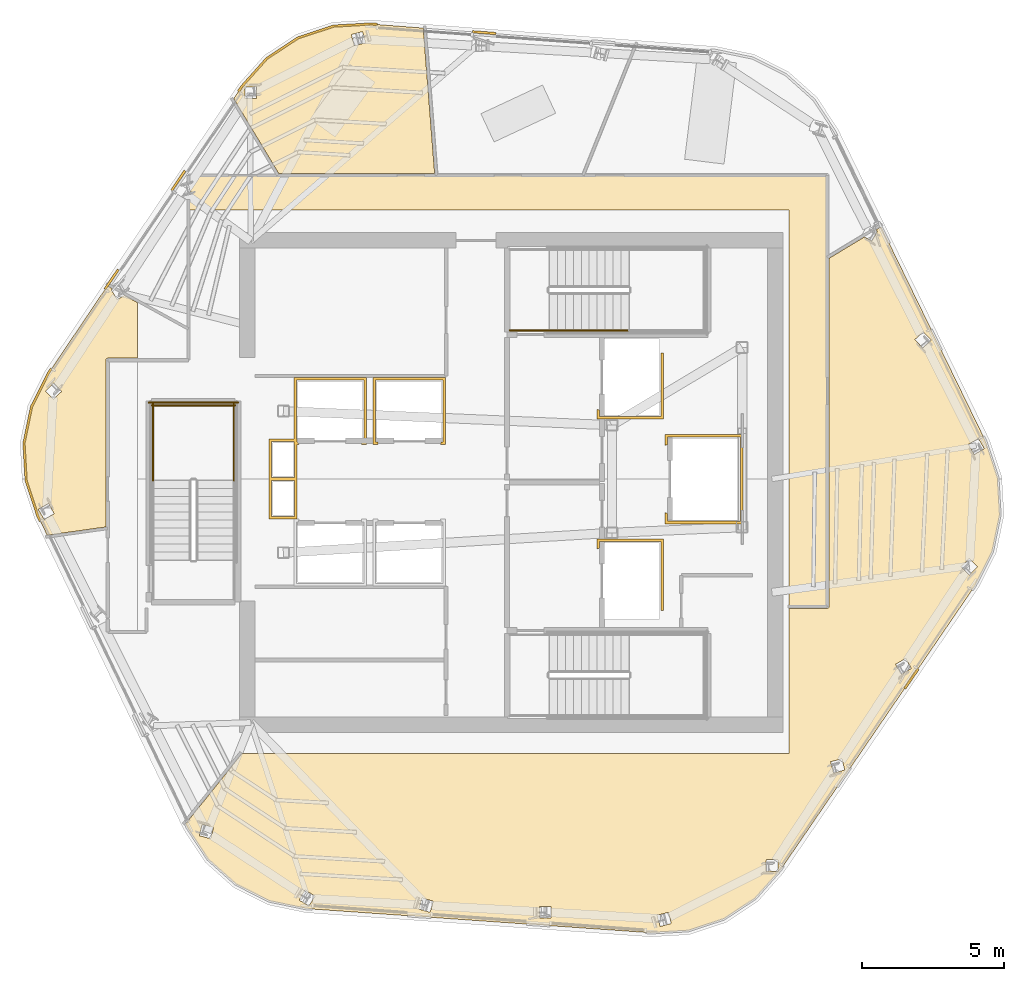
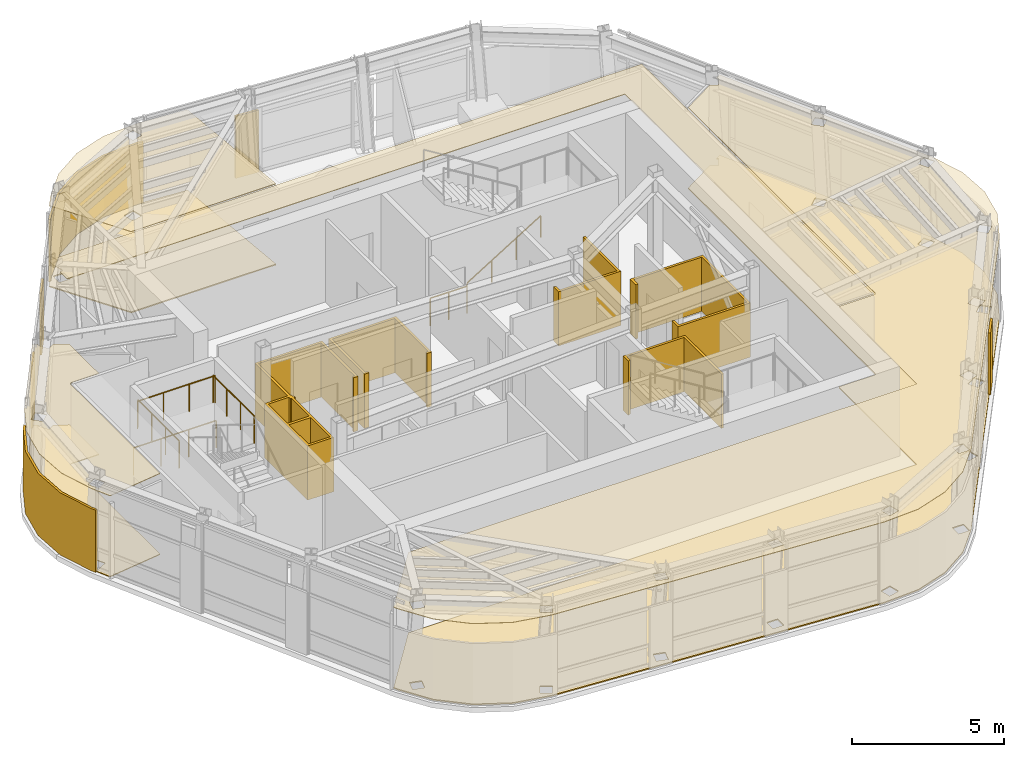
# One storey, part 9 of 11: 18 coverings, 6 railings.
"""IFC4 building model written with IfcOpenShell, lengths in metres."""

from ifc_helpers import new_model, si_unit, direction, frame, origin, origin_2d, place, context, subcontext, project, spatial, polyline, circle, outline, extrude, material, layer, layer_set, type_object, element, save


model = new_model("IFC4")

# Units and contexts
model_context = context("Model", 3, precision=1e-05, world=origin(), true_north=direction((0.0, 1.0)))
body_context = subcontext(model_context, "Body", "Model", "MODEL_VIEW")
ifc_project = project(units=[si_unit("LENGTHUNIT", "METRE"), si_unit("AREAUNIT", "SQUARE_METRE"), si_unit("VOLUMEUNIT", "CUBIC_METRE"), si_unit("PLANEANGLEUNIT", "RADIAN"), si_unit("MASSUNIT", "GRAM", prefix="KILO")], contexts=[model_context])

# Site, building, storey
site_placement = place(None, origin())
site = spatial("IfcSite", under=ifc_project, at=site_placement, CompositionType="ELEMENT")
building_placement = place(site_placement, origin())
building = spatial("IfcBuilding", under=site, at=building_placement, Name="Valkerne Bourse Tower", CompositionType="ELEMENT")
storey_placement = place(building_placement, frame((0.0, 0.0, 266.0)))
storey = spatial("IfcBuildingStorey", under=building, at=storey_placement, Name="L67", CompositionType="ELEMENT", Elevation=266.0)

# Coverings
ifc_material_1 = material(Name="Mineral Fiber Acoustic Ceiling Tile", Category="acoustic")
ifc_layer_1 = layer(ifc_material_1, 0.02490234375)
ifc_layer_set_1 = layer_set([ifc_layer_1], Name="Mineral Fiber Acoustic Ceiling Tile")
covering_type_1 = type_object("IfcCoveringType", Name="COV-CEIL-ACT", PredefinedType="CEILING", material=ifc_layer_set_1)
covering_1_placement = place(storey_placement, frame((0.0, 0.0, 3.25)))
element("IfcCovering", 1, at=covering_1_placement, inside=storey, type_object=covering_type_1, Name="L67 Suspended Ceiling 03", PredefinedType="CEILING", context=body_context, shape_type="SweptSolid", body=[
    extrude(outline(polyline([(29.59619140625, 28.263427734375), (29.863525390625, 29.555419921875), (30.4609375, 30.7431640625), (32.53369140625, 33.81494140625), (32.7177734375, 33.71337890625), (32.677001953125, 33.689697265625), (32.67578125, 33.687744140625), (32.879150390625, 33.335693359375), (33.13525390625, 33.48291015625), (33.60009765625, 33.226318359375), (33.60009765625, 31.26904296875), (32.54931640625, 31.26904296875), (32.50927734375, 31.255859375), (32.485107421875, 31.2236328125), (32.48095703125, 25.30712890625), (30.408935546875, 25.01708984375), (30.08935546875, 25.683837890625), (29.672119140625, 26.946044921875), (29.59619140625, 28.263427734375)]), holes=[polyline([(30.658447265625, 25.774658203125), (30.45703125, 26.130126953125), (30.102783203125, 25.930419921875), (30.10302734375, 25.927978515625), (30.304443359375, 25.572509765625), (30.65869140625, 25.772216796875), (30.658447265625, 25.774658203125)]), polyline([(30.923828125, 30.099365234375), (30.637939453125, 30.38818359375), (30.3466796875, 30.1015625), (30.346435546875, 30.09912109375), (30.632080078125, 29.810302734375), (30.92333984375, 30.096923828125), (30.923828125, 30.099365234375)])]), origin(), (0.0, 0.0, 1.0), 0.02490234375),
])
covering_2_placement = place(storey_placement, frame((0.0, 0.0, 3.25)))
element("IfcCovering", 2, at=covering_2_placement, inside=storey, type_object=covering_type_1, Name="L67 Suspended Ceiling 05", PredefinedType="CEILING", context=body_context, shape_type="SweptSolid", body=[
    extrude(outline(polyline([(39.271728515625, 42.57275390625), (40.524658203125, 42.987060546875), (41.851318359375, 43.063720703125), (43.687744140625, 42.922607421875), (44.091796875, 37.7890625), (38.586181640625, 37.7890625), (36.998291015625, 40.431396484375), (37.284912109375, 40.856201171875), (38.1689453125, 41.848388671875), (39.271728515625, 42.57275390625)]), holes=[polyline([(37.79931640625, 40.4404296875), (37.802490234375, 40.846923828125), (37.393798828125, 40.85107421875), (37.391845703125, 40.849853515625), (37.388671875, 40.443359375), (37.79736328125, 40.439208984375), (37.79931640625, 40.4404296875)]), polyline([(41.65087890625, 42.40234375), (41.54736328125, 42.79833984375), (41.15478515625, 42.696044921875), (41.15234375, 42.6953125), (41.255859375, 42.29931640625), (41.6484375, 42.401611328125), (41.65087890625, 42.40234375)])]), origin(), (0.0, 0.0, 1.0), 0.02490234375),
])
covering_3_placement = place(storey_placement, frame((0.0, 0.0, 3.25)))
element("IfcCovering", 3, at=covering_3_placement, inside=storey, type_object=covering_type_1, Name="L67 Suspended Ceiling 07", PredefinedType="CEILING", context=body_context, shape_type="SweptSolid", body=[
    extrude(outline(polyline([(63.782958984375, 24.441162109375), (63.185791015625, 23.25390625), (56.295166015625, 13.186279296875), (55.410888671875, 12.193603515625), (54.307861328125, 11.46923828125), (53.05517578125, 11.054931640625), (51.727783203125, 10.978515625), (39.5576171875, 11.83154296875), (38.256591796875, 12.10107421875), (37.07763671875, 12.69384765625), (36.09228515625, 13.57177734375), (35.36279296875, 14.6826171875), (35.296142578125, 14.82177734375), (37.2861328125, 17.300048828125), (56.60009765625, 17.300048828125), (56.60009765625, 22.430908203125), (57.95361328125, 22.43115234375), (57.9970703125, 22.44921875), (58.018798828125, 22.495361328125), (58.01904296875, 34.7939453125), (59.27197265625, 35.550537109375), (59.5263671875, 35.403564453125), (59.730224609375, 35.75537109375), (59.72900390625, 35.757080078125), (59.670166015625, 35.791259765625), (59.8564453125, 35.903564453125), (63.557373046875, 28.312255859375), (63.974609375, 27.050537109375), (64.050537109375, 25.733154296875), (63.782958984375, 24.441162109375)]), holes=[polyline([(43.651123046875, 12.20654296875), (43.64892578125, 12.20703125), (43.537353515625, 11.813232421875), (43.927978515625, 11.702392578125), (43.93017578125, 11.701904296875), (44.041748046875, 12.095703125), (43.651123046875, 12.20654296875)]), polyline([(39.515380859375, 12.485107421875), (39.51318359375, 12.486083984375), (39.305419921875, 12.133544921875), (39.655029296875, 11.92724609375), (39.656982421875, 11.92626953125), (39.864990234375, 12.27880859375), (39.515380859375, 12.485107421875)]), polyline([(36.28369140625, 14.693115234375), (35.8896484375, 14.801025390625), (35.781494140625, 14.4091796875), (35.783203125, 14.40771484375), (36.17724609375, 14.299560546875), (36.285400390625, 14.691650390625), (36.28369140625, 14.693115234375)]), polyline([(52.447509765625, 11.3046875), (52.34423828125, 11.70068359375), (51.951416015625, 11.598388671875), (51.94921875, 11.59765625), (52.052490234375, 11.20166015625), (52.4453125, 11.303955078125), (52.447509765625, 11.3046875)]), polyline([(48.1982421875, 11.9072265625), (47.792236328125, 11.90771484375), (47.7900390625, 11.90771484375), (47.789794921875, 11.498291015625), (48.19580078125, 11.497802734375), (48.197998046875, 11.498046875), (48.1982421875, 11.9072265625)]), polyline([(56.21142578125, 13.556640625), (55.802734375, 13.560791015625), (55.80078125, 13.5595703125), (55.797607421875, 13.153076171875), (56.2060546875, 13.14892578125), (56.2080078125, 13.150146484375), (56.21142578125, 13.556640625)]), polyline([(58.573486328125, 16.7236328125), (58.4736328125, 17.117919921875), (58.077392578125, 17.018310546875), (58.07568359375, 17.0166015625), (58.175537109375, 16.62255859375), (58.572021484375, 16.721923828125), (58.573486328125, 16.7236328125)]), polyline([(60.924072265625, 20.312255859375), (60.720947265625, 20.664306640625), (60.366455078125, 20.460693359375), (60.365478515625, 20.458740234375), (60.568603515625, 20.106689453125), (60.923095703125, 20.310302734375), (60.924072265625, 20.312255859375)]), polyline([(63.253662109375, 23.90087890625), (62.9677734375, 24.189697265625), (62.676513671875, 23.903076171875), (62.67626953125, 23.900634765625), (62.9619140625, 23.61181640625), (63.253173828125, 23.8984375), (63.253662109375, 23.90087890625)]), polyline([(63.496826171875, 28.072021484375), (63.29541015625, 28.427490234375), (62.94140625, 28.227783203125), (62.94140625, 28.225341796875), (63.142822265625, 27.869873046875), (63.4970703125, 28.069580078125), (63.496826171875, 28.072021484375)]), polyline([(61.623046875, 31.911865234375), (61.338134765625, 32.20458984375), (61.046142578125, 31.921630859375), (61.046875, 31.91943359375), (61.331787109375, 31.626708984375), (61.623779296875, 31.90966796875), (61.623046875, 31.911865234375)])]), origin(), (0.0, 0.0, 1.0), 0.02490234375),
])
ifc_material_2 = material(Name="Bronze Anodised Aluminium AA 6063-T6", Category="aluminium")
ifc_layer_2 = layer(ifc_material_2, 0.030029296875)
ifc_layer_set_2 = layer_set([ifc_layer_2], Name="Bronze Anodised Aluminium AA 6063-T6")
covering_type_2 = type_object("IfcCoveringType", Name="COV-CEIL-METAL", PredefinedType="CEILING", material=ifc_layer_set_2)
covering_4_placement = place(storey_placement, frame((0.0, 0.0, 3.25)))
element("IfcCovering", 4, at=covering_4_placement, inside=storey, type_object=covering_type_2, Name="L67 Suspended Ceiling 01", PredefinedType="CEILING", context=body_context, shape_type="SweptSolid", body=[
    extrude(outline(polyline([(35.404052734375, 36.951904296875), (35.522705078125, 36.981689453125), (35.524169921875, 36.9833984375), (35.424560546875, 37.37744140625), (35.404052734375, 37.372314453125), (35.404052734375, 37.716064453125), (57.946044921875, 37.716064453125), (57.946044921875, 22.50390625), (56.60009765625, 22.50390625), (56.60009765625, 36.5), (35.404052734375, 36.5), (35.404052734375, 36.951904296875)])), origin(), (0.0, 0.0, 1.0), 0.02490234375),
])
ifc_layer_3 = layer(ifc_material_2, 0.06005859375)
ifc_layer_set_3 = layer_set([ifc_layer_3], Name="Bronze Anodised Aluminium AA 6063-T6")
covering_type_3 = type_object("IfcCoveringType", Name="COV-CRN-ALUM", PredefinedType="CLADDING", material=ifc_layer_set_3)
covering_5_placement = place(storey_placement, origin())
element("IfcCovering", 5, at=covering_5_placement, inside=storey, type_object=covering_type_3, Name="L67 Wind-Shaped Corner Aluminium Cladding 02", PredefinedType="CLADDING", context=body_context, shape_type="SweptSolid", body=[
    extrude(outline(polyline([(60.722412109375, 19.576904296875), (60.65625, 19.621826171875), (61.130615234375, 20.31494140625), (61.197021484375, 20.27001953125), (60.722412109375, 19.576904296875)])), origin(), (0.0, 0.0, 1.0), 2.5),
])
covering_6_placement = place(storey_placement, origin())
element("IfcCovering", 6, at=covering_6_placement, inside=storey, type_object=covering_type_3, Name="L67 Wind-Shaped Corner Aluminium Cladding 10", PredefinedType="CLADDING", context=body_context, shape_type="SweptSolid", body=[
    extrude(outline(polyline([(30.04833984375, 25.66748046875), (29.62841796875, 26.937744140625), (29.5517578125, 28.2666015625), (29.82177734375, 29.570068359375), (30.4228515625, 30.765380859375), (30.531005859375, 30.925537109375), (30.59716796875, 30.880615234375), (30.491943359375, 30.724853515625), (29.89794921875, 29.543701171875), (29.63232421875, 28.2607421875), (29.70751953125, 26.952880859375), (30.122802734375, 25.697509765625), (30.203857421875, 25.528076171875), (30.1318359375, 25.493408203125), (30.04833984375, 25.66748046875)])), origin(), (0.0, 0.0, 1.0), 2.5),
])
covering_7_placement = place(storey_placement, origin())
element("IfcCovering", 7, at=covering_7_placement, inside=storey, type_object=covering_type_3, Name="L67 Wind-Shaped Corner Aluminium Cladding 11", PredefinedType="CLADDING", context=body_context, shape_type="SweptSolid", body=[
    extrude(outline(polyline([(32.88671875, 34.4169921875), (32.952880859375, 34.3720703125), (32.483154296875, 33.675537109375), (32.4169921875, 33.720703125), (32.88671875, 34.4169921875)])), origin(), (0.0, 0.0, 1.0), 2.5),
])
covering_8_placement = place(storey_placement, origin())
element("IfcCovering", 8, at=covering_8_placement, inside=storey, type_object=covering_type_3, Name="L67 Wind-Shaped Corner Aluminium Cladding 12", PredefinedType="CLADDING", context=body_context, shape_type="SweptSolid", body=[
    extrude(outline(polyline([(35.242919921875, 37.908447265625), (35.30908203125, 37.863525390625), (34.839111328125, 37.1669921875), (34.77294921875, 37.212158203125), (35.242919921875, 37.908447265625)])), origin(), (0.0, 0.0, 1.0), 2.5),
])
covering_9_placement = place(storey_placement, origin())
element("IfcCovering", 9, at=covering_9_placement, inside=storey, type_object=covering_type_3, Name="L67 Wind-Shaped Corner Aluminium Cladding 13", PredefinedType="CLADDING", context=body_context, shape_type="SweptSolid", body=[
    extrude(outline(polyline([(37.25, 40.88330078125), (38.139892578125, 41.8818359375), (39.25244140625, 42.61279296875), (40.516357421875, 43.03076171875), (41.8515625, 43.10791015625), (42.06787109375, 43.09130859375), (42.06201171875, 43.011474609375), (41.850830078125, 43.027587890625), (40.531494140625, 42.951416015625), (39.28759765625, 42.5400390625), (38.192626953125, 41.82080078125), (37.3134765625, 40.833984375), (37.195068359375, 40.65869140625), (37.12890625, 40.70361328125), (37.25, 40.88330078125)])), origin(), (0.0, 0.0, 1.0), 2.5),
])
covering_10_placement = place(storey_placement, origin())
element("IfcCovering", 10, at=covering_10_placement, inside=storey, type_object=covering_type_3, Name="L67 Wind-Shaped Corner Aluminium Cladding 14", PredefinedType="CLADDING", context=body_context, shape_type="SweptSolid", body=[
    extrude(outline(polyline([(46.267578125, 42.768798828125), (46.26171875, 42.68896484375), (45.424072265625, 42.75341796875), (45.429931640625, 42.8330078125), (46.267578125, 42.768798828125)])), origin(), (0.0, 0.0, 1.0), 2.5),
])
ifc_material_3 = material(Name="Galvanised Painted Steel", Category="steel")
ifc_layer_4 = layer(ifc_material_3, 0.044921875)
ifc_layer_set_4 = layer_set([ifc_layer_4], Name="Galvanised Painted Steel")
covering_type_4 = type_object("IfcCoveringType", Name="COV-FLR-RAF", PredefinedType="FLOORING", material=ifc_layer_set_4)
covering_11_placement = place(storey_placement, origin())
element("IfcCovering", 11, at=covering_11_placement, inside=storey, type_object=covering_type_4, Name="L67 Floor Finish 05", PredefinedType="FLOORING", context=body_context, shape_type="SweptSolid", body=[
    extrude(outline(polyline([(39.271728515625, 42.57275390625), (40.524658203125, 42.987060546875), (41.851318359375, 43.063720703125), (43.687744140625, 42.922607421875), (44.091796875, 37.7890625), (38.586181640625, 37.7890625), (36.998291015625, 40.431396484375), (37.284912109375, 40.856201171875), (38.1689453125, 41.848388671875), (39.271728515625, 42.57275390625)]), holes=[polyline([(37.79931640625, 40.4404296875), (37.802490234375, 40.846923828125), (37.393798828125, 40.85107421875), (37.391845703125, 40.849853515625), (37.388671875, 40.443359375), (37.79736328125, 40.439208984375), (37.79931640625, 40.4404296875)]), polyline([(41.65087890625, 42.40234375), (41.54736328125, 42.79833984375), (41.15478515625, 42.696044921875), (41.15234375, 42.6953125), (41.255859375, 42.29931640625), (41.6484375, 42.401611328125), (41.65087890625, 42.40234375)])]), origin(), (0.0, 0.0, 1.0), 0.044921875),
])
covering_12_placement = place(storey_placement, origin())
element("IfcCovering", 12, at=covering_12_placement, inside=storey, type_object=covering_type_4, Name="L67 Floor Finish 07", PredefinedType="FLOORING", context=body_context, shape_type="SweptSolid", body=[
    extrude(outline(polyline([(63.782958984375, 24.441162109375), (63.185791015625, 23.25390625), (56.295166015625, 13.186279296875), (55.410888671875, 12.193603515625), (54.307861328125, 11.46923828125), (53.05517578125, 11.054931640625), (51.727783203125, 10.978515625), (39.5576171875, 11.83154296875), (38.256591796875, 12.10107421875), (37.07763671875, 12.69384765625), (36.09228515625, 13.57177734375), (35.36279296875, 14.6826171875), (35.296142578125, 14.82177734375), (37.2861328125, 17.300048828125), (56.60009765625, 17.300048828125), (56.60009765625, 22.430908203125), (57.95361328125, 22.43115234375), (57.9970703125, 22.44921875), (58.018798828125, 22.495361328125), (58.01904296875, 34.7939453125), (59.27197265625, 35.550537109375), (59.5263671875, 35.403564453125), (59.730224609375, 35.75537109375), (59.72900390625, 35.757080078125), (59.670166015625, 35.791259765625), (59.8564453125, 35.903564453125), (63.557373046875, 28.312255859375), (63.974609375, 27.050537109375), (64.050537109375, 25.733154296875), (63.782958984375, 24.441162109375)]), holes=[polyline([(43.651123046875, 12.20654296875), (43.64892578125, 12.20703125), (43.537353515625, 11.813232421875), (43.927978515625, 11.702392578125), (43.93017578125, 11.701904296875), (44.041748046875, 12.095703125), (43.651123046875, 12.20654296875)]), polyline([(39.515380859375, 12.485107421875), (39.51318359375, 12.486083984375), (39.305419921875, 12.133544921875), (39.655029296875, 11.92724609375), (39.656982421875, 11.92626953125), (39.864990234375, 12.27880859375), (39.515380859375, 12.485107421875)]), polyline([(36.28369140625, 14.693115234375), (35.8896484375, 14.801025390625), (35.781494140625, 14.4091796875), (35.783203125, 14.40771484375), (36.17724609375, 14.299560546875), (36.285400390625, 14.691650390625), (36.28369140625, 14.693115234375)]), polyline([(52.447509765625, 11.3046875), (52.34423828125, 11.70068359375), (51.951416015625, 11.598388671875), (51.94921875, 11.59765625), (52.052490234375, 11.20166015625), (52.4453125, 11.303955078125), (52.447509765625, 11.3046875)]), polyline([(48.1982421875, 11.9072265625), (47.792236328125, 11.90771484375), (47.7900390625, 11.90771484375), (47.789794921875, 11.498291015625), (48.19580078125, 11.497802734375), (48.197998046875, 11.498046875), (48.1982421875, 11.9072265625)]), polyline([(56.21142578125, 13.556640625), (55.802734375, 13.560791015625), (55.80078125, 13.5595703125), (55.797607421875, 13.153076171875), (56.2060546875, 13.14892578125), (56.2080078125, 13.150146484375), (56.21142578125, 13.556640625)]), polyline([(58.573486328125, 16.7236328125), (58.4736328125, 17.117919921875), (58.077392578125, 17.018310546875), (58.07568359375, 17.0166015625), (58.175537109375, 16.62255859375), (58.572021484375, 16.721923828125), (58.573486328125, 16.7236328125)]), polyline([(60.924072265625, 20.312255859375), (60.720947265625, 20.664306640625), (60.366455078125, 20.460693359375), (60.365478515625, 20.458740234375), (60.568603515625, 20.106689453125), (60.923095703125, 20.310302734375), (60.924072265625, 20.312255859375)]), polyline([(63.253662109375, 23.90087890625), (62.9677734375, 24.189697265625), (62.676513671875, 23.903076171875), (62.67626953125, 23.900634765625), (62.9619140625, 23.61181640625), (63.253173828125, 23.8984375), (63.253662109375, 23.90087890625)]), polyline([(63.496826171875, 28.072021484375), (63.29541015625, 28.427490234375), (62.94140625, 28.227783203125), (62.94140625, 28.225341796875), (63.142822265625, 27.869873046875), (63.4970703125, 28.069580078125), (63.496826171875, 28.072021484375)]), polyline([(61.623046875, 31.911865234375), (61.338134765625, 32.20458984375), (61.046142578125, 31.921630859375), (61.046875, 31.91943359375), (61.331787109375, 31.626708984375), (61.623779296875, 31.90966796875), (61.623046875, 31.911865234375)])]), origin(), (0.0, 0.0, 1.0), 0.044921875),
])
ifc_material_4 = material(Name="Polished Granite Stone", Category="masonry")
ifc_layer_5 = layer(ifc_material_4, 0.030029296875)
ifc_layer_set_5 = layer_set([ifc_layer_5], Name="Polished Granite Stone")
covering_type_5 = type_object("IfcCoveringType", Name="COV-FLR-TERRAZZO", PredefinedType="FLOORING", material=ifc_layer_set_5)
covering_13_placement = place(storey_placement, origin())
element("IfcCovering", 13, at=covering_13_placement, inside=storey, type_object=covering_type_5, Name="L67 Floor Finish 03", PredefinedType="FLOORING", context=body_context, shape_type="SweptSolid", body=[
    extrude(outline(polyline([(29.59619140625, 28.263427734375), (29.863525390625, 29.555419921875), (30.4609375, 30.7431640625), (32.53369140625, 33.81494140625), (32.7177734375, 33.71337890625), (32.677001953125, 33.689697265625), (32.67578125, 33.687744140625), (32.879150390625, 33.335693359375), (33.13525390625, 33.48291015625), (33.60009765625, 33.226318359375), (33.60009765625, 31.26904296875), (32.54931640625, 31.26904296875), (32.50927734375, 31.255859375), (32.485107421875, 31.2236328125), (32.48095703125, 25.30712890625), (30.408935546875, 25.01708984375), (30.08935546875, 25.683837890625), (29.672119140625, 26.946044921875), (29.59619140625, 28.263427734375)]), holes=[polyline([(30.658447265625, 25.774658203125), (30.45703125, 26.130126953125), (30.102783203125, 25.930419921875), (30.10302734375, 25.927978515625), (30.304443359375, 25.572509765625), (30.65869140625, 25.772216796875), (30.658447265625, 25.774658203125)]), polyline([(30.923828125, 30.099365234375), (30.637939453125, 30.38818359375), (30.3466796875, 30.1015625), (30.346435546875, 30.09912109375), (30.632080078125, 29.810302734375), (30.92333984375, 30.096923828125), (30.923828125, 30.099365234375)])]), origin(), (0.0, 0.0, 1.0), 0.030029296875),
])
ifc_material_5 = material(Name="Gypsum Shaftwall Liner Board", Category="gypsum")
ifc_layer_6 = layer(ifc_material_5, 0.080078125)
ifc_layer_set_6 = layer_set([ifc_layer_6], Name="Gypsum Shaftwall Liner Board")
covering_type_6 = type_object("IfcCoveringType", Name="COV-SHF-CLAD", PredefinedType="CLADDING", material=ifc_layer_set_6)
covering_14_placement = place(storey_placement, origin())
element("IfcCovering", 14, at=covering_14_placement, inside=storey, type_object=covering_type_6, Name="L67 Hoistway & Riser Shaftwall Liner 01", PredefinedType="CLADDING", context=body_context, shape_type="SweptSolid", body=[
    extrude(outline(polyline([(52.179931640625, 24.8798828125), (52.179931640625, 22.35009765625), (52.090087890625, 22.35009765625), (52.090087890625, 24.7900390625), (49.909912109375, 24.7900390625), (49.909912109375, 24.560791015625), (49.869384765625, 24.550537109375), (49.827880859375, 24.53564453125), (49.820068359375, 24.531982421875), (49.820068359375, 24.8798828125), (52.179931640625, 24.8798828125)])), origin(), (0.0, 0.0, 1.0), 2.179931640625),
])
covering_15_placement = place(storey_placement, origin())
element("IfcCovering", 15, at=covering_15_placement, inside=storey, type_object=covering_type_6, Name="L67 Hoistway & Riser Shaftwall Liner 04", PredefinedType="CLADDING", context=body_context, shape_type="SweptSolid", body=[
    extrude(outline(polyline([(38.239990234375, 27.0400390625), (38.239990234375, 28.409912109375), (39.1201171875, 28.409912109375), (39.1201171875, 30.580078125), (41.679931640625, 30.580078125), (41.679931640625, 28.219970703125), (41.500732421875, 28.219970703125), (41.511474609375, 28.26220703125), (41.517822265625, 28.305908203125), (41.51806640625, 28.31005859375), (41.590087890625, 28.31005859375), (41.590087890625, 30.489990234375), (39.2099609375, 30.489990234375), (39.2099609375, 28.409912109375), (39.239990234375, 28.409912109375), (39.239990234375, 28.31005859375), (39.281982421875, 28.31005859375), (39.2822265625, 28.305908203125), (39.28857421875, 28.26220703125), (39.29931640625, 28.219970703125), (39.239990234375, 28.219970703125), (39.239990234375, 27.0400390625), (39.239990234375, 26.9599609375), (39.239990234375, 25.590087890625), (38.239990234375, 25.590087890625), (38.239990234375, 26.9599609375), (38.239990234375, 27.0400390625)]), holes=[polyline([(39.14990234375, 26.949951171875), (38.330078125, 26.949951171875), (38.330078125, 25.679931640625), (39.14990234375, 25.679931640625), (39.14990234375, 26.949951171875)]), polyline([(39.14990234375, 28.219970703125), (39.1201171875, 28.219970703125), (39.1201171875, 28.320068359375), (38.330078125, 28.320068359375), (38.330078125, 27.050048828125), (39.14990234375, 27.050048828125), (39.14990234375, 28.219970703125)])]), origin(), (0.0, 0.0, 1.0), 2.179931640625),
])
covering_16_placement = place(storey_placement, origin())
element("IfcCovering", 16, at=covering_16_placement, inside=storey, type_object=covering_type_6, Name="L67 Hoistway & Riser Shaftwall Liner 05", PredefinedType="CLADDING", context=body_context, shape_type="SweptSolid", body=[
    extrude(outline(polyline([(54.97998046875, 28.580078125), (54.97998046875, 25.419921875), (52.219970703125, 25.419921875), (52.219970703125, 25.81787109375), (52.227783203125, 25.814208984375), (52.269287109375, 25.79931640625), (52.31005859375, 25.789306640625), (52.31005859375, 25.510009765625), (54.889892578125, 25.510009765625), (54.889892578125, 28.489990234375), (52.31005859375, 28.489990234375), (52.31005859375, 28.210693359375), (52.269287109375, 28.20068359375), (52.227783203125, 28.185791015625), (52.219970703125, 28.18212890625), (52.219970703125, 28.580078125), (54.97998046875, 28.580078125)])), origin(), (0.0, 0.0, 1.0), 2.179931640625),
])
covering_17_placement = place(storey_placement, origin())
element("IfcCovering", 17, at=covering_17_placement, inside=storey, type_object=covering_type_6, Name="L67 Hoistway & Riser Shaftwall Liner 06", PredefinedType="CLADDING", context=body_context, shape_type="SweptSolid", body=[
    extrude(outline(polyline([(44.47998046875, 28.219970703125), (44.30078125, 28.219970703125), (44.311279296875, 28.26220703125), (44.31787109375, 28.305908203125), (44.318115234375, 28.31005859375), (44.389892578125, 28.31005859375), (44.389892578125, 30.489990234375), (42.010009765625, 30.489990234375), (42.010009765625, 28.31005859375), (42.08203125, 28.31005859375), (42.082275390625, 28.305908203125), (42.088623046875, 28.26220703125), (42.09912109375, 28.219970703125), (41.919921875, 28.219970703125), (41.919921875, 30.580078125), (44.47998046875, 30.580078125), (44.47998046875, 28.219970703125)])), origin(), (0.0, 0.0, 1.0), 2.179931640625),
])
covering_18_placement = place(storey_placement, origin())
element("IfcCovering", 18, at=covering_18_placement, inside=storey, type_object=covering_type_6, Name="L67 Hoistway & Riser Shaftwall Liner 07", PredefinedType="CLADDING", context=body_context, shape_type="SweptSolid", body=[
    extrude(outline(polyline([(49.820068359375, 29.1201171875), (49.820068359375, 29.468017578125), (49.827880859375, 29.46435546875), (49.869384765625, 29.449462890625), (49.909912109375, 29.439208984375), (49.909912109375, 29.2099609375), (52.090087890625, 29.2099609375), (52.090087890625, 31.449951171875), (52.179931640625, 31.449951171875), (52.179931640625, 29.1201171875), (49.820068359375, 29.1201171875)])), origin(), (0.0, 0.0, 1.0), 2.179931640625),
])

# Railings
railing_type_1 = type_object("IfcRailingType", Name="RLG-ST-GUARD-1120", PredefinedType="GUARDRAIL", material=ifc_material_3)
railing_1_placement = place(storey_placement, frame((46.75, 32.25, 0.0)))
element("IfcRailing", 19, at=railing_1_placement, inside=storey, type_object=railing_type_1, Name="L67 ST-2 stair guard 8", PredefinedType="GUARDRAIL", context=body_context, shape_type="SweptSolid", body=[
    extrude(circle(Radius=0.02392578125, at=origin_2d()), frame((0.0, 0.0, 1.09619140625), z_axis=(1.0, 0.0, 0.0), x_axis=(0.0, 1.0, 0.0)), (0.0, 0.0, 1.0), 1.39990234375),
    extrude(circle(Radius=0.02099609375, at=origin_2d()), origin(), (0.0, 0.0, 1.0), 1.072021484375),
    extrude(circle(Radius=0.02099609375, at=origin_2d()), frame((0.699951171875, 0.0, 0.0)), (0.0, 0.0, 1.0), 1.072021484375),
    extrude(circle(Radius=0.02099609375, at=origin_2d()), frame((1.39990234375, 0.0, 0.0)), (0.0, 0.0, 1.0), 1.072021484375),
])
for number, where, name in (
    (20, (37.0, 26.949951171875, 1.89990234375), "L67 ST-3 stair guard 3"),
    (21, (34.14990234375, 26.949951171875, 1.89990234375), "L67 ST-3 stair guard 4"),
):
    element("IfcRailing", number, at=place(storey_placement, frame(where)), inside=storey, type_object=railing_type_1, Name=name, PredefinedType="GUARDRAIL", context=body_context, shape_type="SweptSolid", body=[
        extrude(circle(Radius=0.02392578125, at=origin_2d()), frame((0.0, 0.0, 1.09619140625), z_axis=(0.0, 1.0, 0.0), x_axis=(-1.0, 0.0, 0.0)), (0.0, 0.0, 1.0), 2.699951171875),
        extrude(circle(Radius=0.02099609375, at=origin_2d()), origin(), (0.0, 0.0, 1.0), 1.072021484375),
        extrude(circle(Radius=0.02099609375, at=origin_2d()), frame((0.0, 0.89990234375, 0.0)), (0.0, 0.0, 1.0), 1.072021484375),
        extrude(circle(Radius=0.02099609375, at=origin_2d()), frame((0.0, 1.800048828125, 0.0)), (0.0, 0.0, 1.0), 1.072021484375),
        extrude(circle(Radius=0.02099609375, at=origin_2d()), frame((0.0, 2.699951171875, 0.0)), (0.0, 0.0, 1.0), 1.072021484375),
    ])
railing_2_placement = place(storey_placement, frame((37.050048828125, 29.60009765625, 1.89990234375)))
element("IfcRailing", 22, at=railing_2_placement, inside=storey, type_object=railing_type_1, Name="L67 ST-3 stair guard 5", PredefinedType="GUARDRAIL", context=body_context, shape_type="SweptSolid", body=[
    extrude(circle(Radius=0.02392578125, at=origin_2d()), frame((0.0, 0.0, 1.09619140625), z_axis=(-1.0, 0.0, 0.0), x_axis=(0.0, -1.0, 0.0)), (0.0, 0.0, 1.0), 2.949951171875),
    extrude(circle(Radius=0.02099609375, at=origin_2d()), origin(), (0.0, 0.0, 1.0), 1.072021484375),
    extrude(circle(Radius=0.02099609375, at=origin_2d()), frame((-0.9833984375, 0.0, 0.0)), (0.0, 0.0, 1.0), 1.072021484375),
    extrude(circle(Radius=0.02099609375, at=origin_2d()), frame((-1.966552734375, 0.0, 0.0)), (0.0, 0.0, 1.0), 1.072021484375),
    extrude(circle(Radius=0.02099609375, at=origin_2d()), frame((-2.949951171875, 0.0, 0.0)), (0.0, 0.0, 1.0), 1.072021484375),
])
railing_3_placement = place(storey_placement, frame((37.14990234375, 29.699951171875, 0.0)))
element("IfcRailing", 23, at=railing_3_placement, inside=storey, type_object=railing_type_1, Name="L67 ST-3 stair guard 12", PredefinedType="GUARDRAIL", context=body_context, shape_type="SweptSolid", body=[
    extrude(circle(Radius=0.02392578125, at=origin_2d()), frame((0.0, 0.0, 1.09619140625), z_axis=(-1.0, 0.0, 0.0), x_axis=(0.0, -1.0, 0.0)), (0.0, 0.0, 1.0), 3.14990234375),
    extrude(circle(Radius=0.02099609375, at=origin_2d()), origin(), (0.0, 0.0, 1.0), 1.072021484375),
    extrude(circle(Radius=0.02099609375, at=origin_2d()), frame((-1.050048828125, 0.0, 0.0)), (0.0, 0.0, 1.0), 1.072021484375),
    extrude(circle(Radius=0.02099609375, at=origin_2d()), frame((-2.099853515625, 0.0, 0.0)), (0.0, 0.0, 1.0), 1.072021484375),
    extrude(circle(Radius=0.02099609375, at=origin_2d()), frame((-3.14990234375, 0.0, 0.0)), (0.0, 0.0, 1.0), 1.072021484375),
])
ifc_material_6 = material(Name="Stainless Steel AISI 316", Category="steel")
railing_type_2 = type_object("IfcRailingType", Name="RLG-ST-HANDRAIL-900", PredefinedType="HANDRAIL", material=ifc_material_6)
railing_4_placement = place(storey_placement, frame((48.14990234375, 32.25, 0.345458984375)))
element("IfcRailing", 24, at=railing_4_placement, inside=storey, type_object=railing_type_2, Name="L67 ST-2 stair handrail 1", PredefinedType="HANDRAIL", context=body_context, shape_type="SweptSolid", body=[
    extrude(circle(Radius=0.02392578125, at=origin_2d()), frame((0.0, 0.0, 0.8759765625), z_axis=(0.851089632645, 0.0, 0.525020415988), x_axis=(0.0, 1.0, 0.0)), (0.0, 0.0, 1.0), 3.2900390625),
    extrude(circle(Radius=0.02099609375, at=origin_2d()), origin(), (0.0, 0.0, 1.0), 0.851806640625),
    extrude(circle(Radius=0.02099609375, at=origin_2d()), frame((0.933349609375, 0.0, 0.57568359375)), (0.0, 0.0, 1.0), 0.851806640625),
    extrude(circle(Radius=0.02099609375, at=origin_2d()), frame((1.86669921875, 0.0, 1.151611328125)), (0.0, 0.0, 1.0), 0.851806640625),
    extrude(circle(Radius=0.02099609375, at=origin_2d()), frame((2.800048828125, 0.0, 1.727294921875)), (0.0, 0.0, 1.0), 0.851806640625),
])

save(model, "model.ifc")
